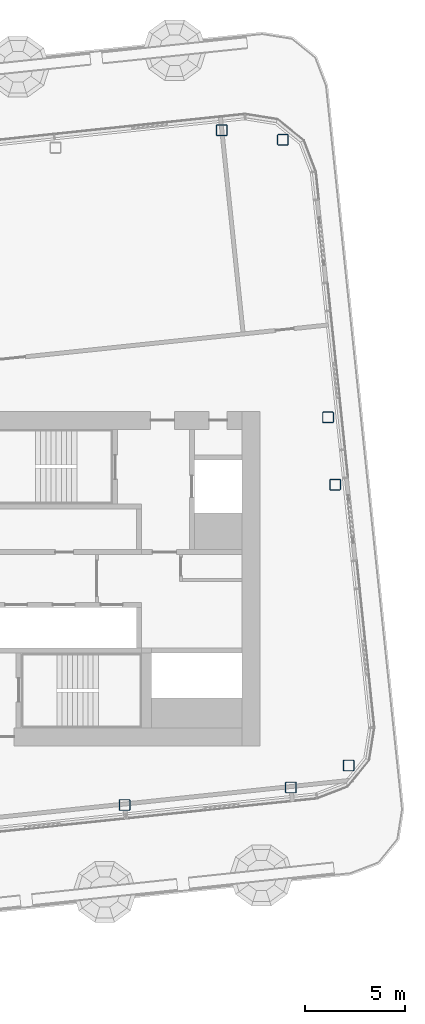
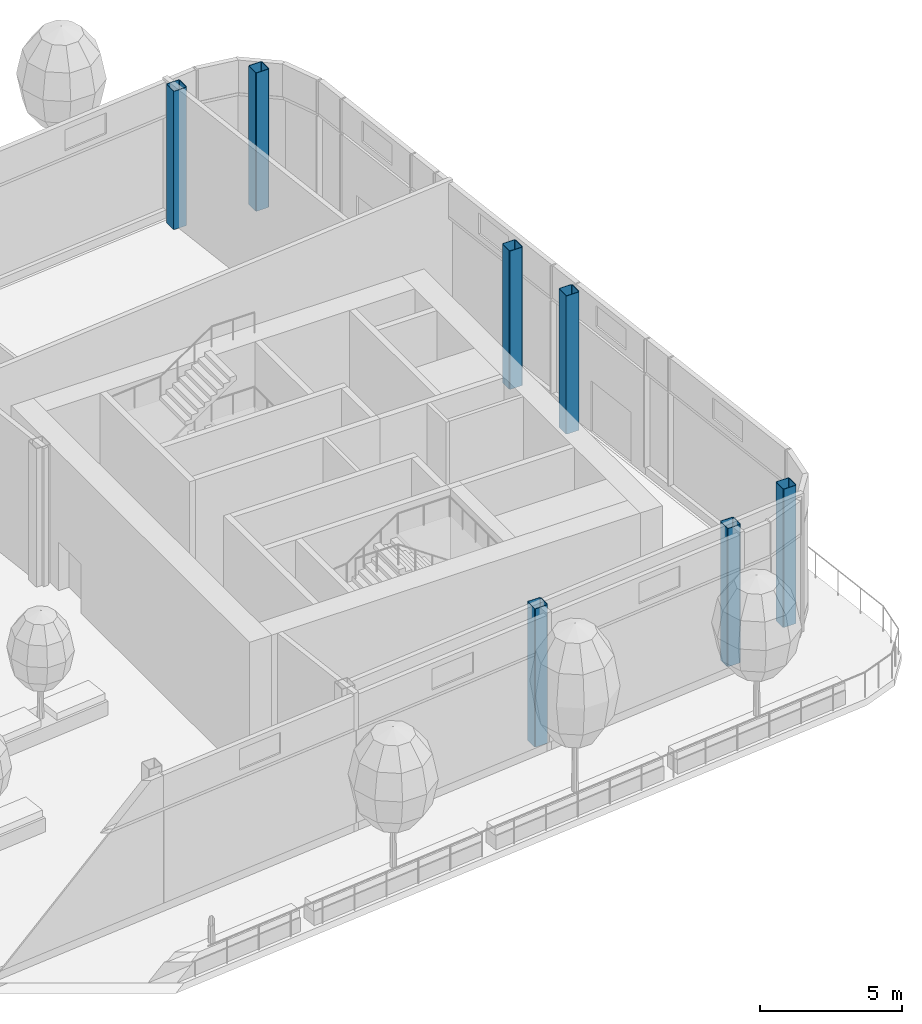
# One storey, part 2 of 42: 7 columns.
"""IFC4 building model written with IfcOpenShell, lengths in metres."""

from ifc_helpers import new_model, si_unit, direction, frame, origin, origin_2d, place, context, subcontext, project, spatial, hollow_rectangle, extrude, material, material_profile, profile_set, type_object, element, save


model = new_model("IFC4")

# Units and contexts
model_context = context("Model", 3, precision=1e-05, world=origin(), true_north=direction((0.0, 1.0)))
body_context = subcontext(model_context, "Body", "Model", "MODEL_VIEW")
ifc_project = project(units=[si_unit("LENGTHUNIT", "METRE"), si_unit("AREAUNIT", "SQUARE_METRE"), si_unit("VOLUMEUNIT", "CUBIC_METRE"), si_unit("PLANEANGLEUNIT", "RADIAN"), si_unit("MASSUNIT", "GRAM", prefix="KILO")], contexts=[model_context])

# Site, building, storey
site_placement = place(None, origin())
site = spatial("IfcSite", under=ifc_project, at=site_placement, CompositionType="ELEMENT")
building_placement = place(site_placement, origin())
building = spatial("IfcBuilding", under=site, at=building_placement, Name="Hakoniwa Tower and Hamabe Station Hall", CompositionType="ELEMENT")
storey_placement = place(building_placement, frame((0.0, 0.0, 232.60009765625)))
storey = spatial("IfcBuildingStorey", under=building, at=storey_placement, Name="L66", CompositionType="ELEMENT", Elevation=232.60009765625)

# Columns
ifc_material = material(Name="Steel BCP325", Category="steel")
ifc_material_profile = material_profile(ifc_material, hollow_rectangle(XDim=0.550048828125, YDim=0.550048828125, WallThickness=0.02197265625, InnerFilletRadius=0.032958984375, OuterFilletRadius=0.054931640625, at=origin_2d()), Name="BCP-550x550x22")
ifc_profile_set = profile_set([ifc_material_profile], Name="Steel BCP325")
column_type = type_object("IfcColumnType", Name="COLUMN BCP-550x550x22", PredefinedType="COLUMN", material=ifc_profile_set)
for number, where, z_axis, x_axis, name in (
    (1, (26.797119140625, -11.375, 0.0), (0.0, 0.0, 1.0), (1.0, 0.0, 0.0), "Column B5-10-A5"),
    (2, (35.151123046875, -10.496826171875, 0.0), (0.0, 0.0, 1.0), (1.0, 0.0, 0.0), "Column B5-11-A5"),
    (3, (31.680908203125, 22.521240234375, 0.0), (0.0, 0.0, 1.0), (1.0, 0.0, 0.0), "Column B5-11-F5"),
    (4, (38.054443359375, -9.390380859375, 0.0), (0.0, 0.0, 1.0), (1.0, 0.0, 0.0), "Column B5-EE-A5"),
    (5, (37.372802734375, 4.71875, 0.0), (0.0, 0.0, 1.0), (1.0, 0.0, 0.0), "Column B5-EE-C5"),
    (6, (37.017333984375, 8.10009765625, 0.0), (0.0, 0.0, 1.0), (1.0, 0.0, 0.0), "Column B5-EE-D5"),
    (7, (34.750732421875, 22.04248046875, 0.0), (0.0, 0.0, 1.0), (1.0, 0.0, 0.0), "Column B5-EE-F5"),
):
    element("IfcColumn", number, at=place(storey_placement, frame(where, z_axis=z_axis, x_axis=x_axis)), inside=storey, type_object=column_type, Name=name, PredefinedType="COLUMN", context=body_context, shape_type="SweptSolid", body=[
        extrude(hollow_rectangle(XDim=0.550048828125, YDim=0.550048828125, WallThickness=0.02197265625, InnerFilletRadius=0.032958984375, OuterFilletRadius=0.054931640625, at=origin_2d()), origin(), (0.0, 0.0, 1.0), 5.949951171875),
    ])

save(model, "model.ifc")
